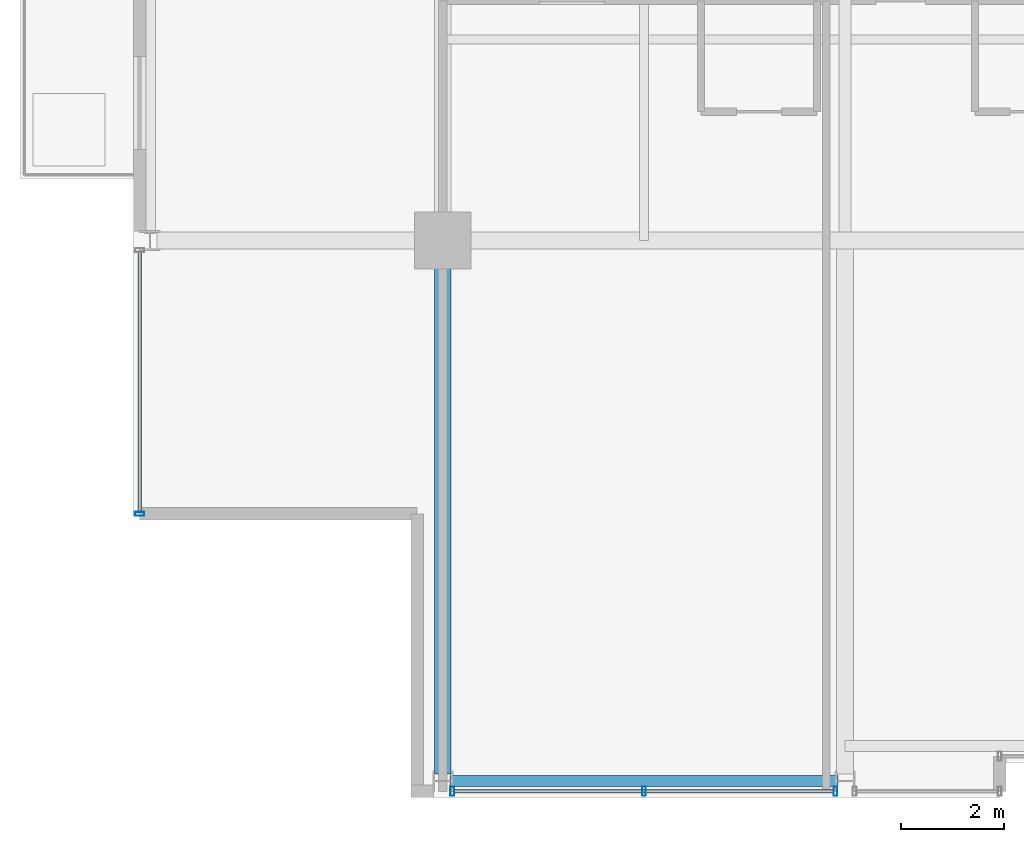
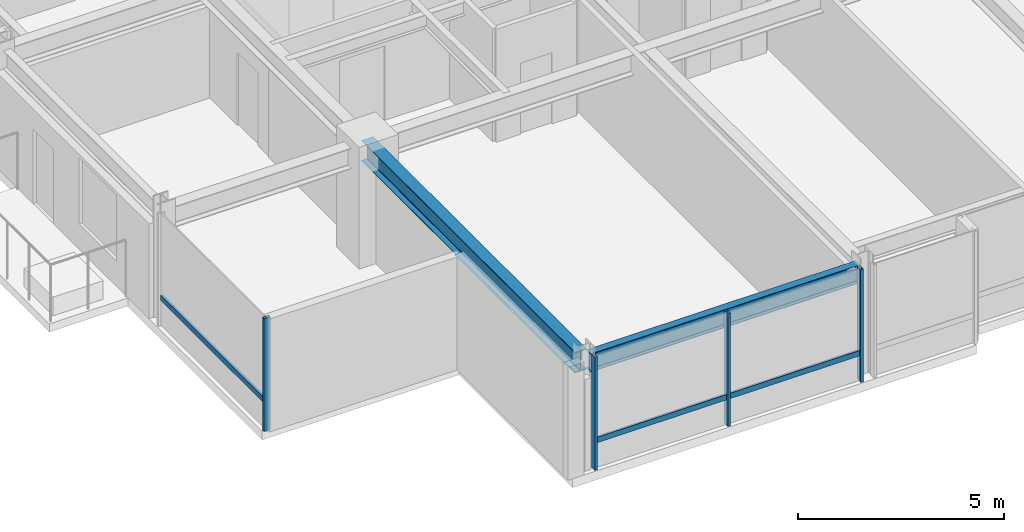
# One storey, part 2 of 32: 6 members, 2 beams, 2 elements without a shape of their own.
"""IFC4 building model written with IfcOpenShell, lengths in metres."""

from ifc_helpers import new_model, si_unit, direction, frame, origin, origin_2d, place, context, subcontext, project, spatial, hollow_rectangle, i_section, extrude, material, layer, layer_set, material_profile, profile_set, type_object, element, aggregate, save


model = new_model("IFC4")

# Units and contexts
model_context = context("Model", 3, precision=1e-05, world=origin(), true_north=direction((0.0, 1.0)))
body_context = subcontext(model_context, "Body", "Model", "MODEL_VIEW")
ifc_project = project(units=[si_unit("LENGTHUNIT", "METRE"), si_unit("AREAUNIT", "SQUARE_METRE"), si_unit("VOLUMEUNIT", "CUBIC_METRE"), si_unit("PLANEANGLEUNIT", "RADIAN"), si_unit("MASSUNIT", "GRAM", prefix="KILO")], contexts=[model_context])

# Site, building, storey
site_placement = place(None, origin())
site = spatial("IfcSite", under=ifc_project, at=site_placement, CompositionType="ELEMENT")
building_placement = place(site_placement, origin())
building = spatial("IfcBuilding", under=site, at=building_placement, Name="Drelvath Grand Hotel", CompositionType="ELEMENT")
storey_placement = place(building_placement, frame((0.0, 0.0, 226.699951171875)))
storey = spatial("IfcBuildingStorey", under=building, at=storey_placement, Name="L59", CompositionType="ELEMENT", Elevation=226.699951171875)

# Curtain wall, member
ifc_material_1 = material(Name="Platinum-Mist Anodised Aluminium Frame", Category="aluminium")
ifc_layer = layer(ifc_material_1, 0.199951171875)
ifc_layer_set = layer_set([ifc_layer], Name="Platinum-Mist Anodised Aluminium Frame")
curtain_wall_type = type_object("IfcCurtainWallType", Name="Stick Curtain Wall CW-05 Platinum Mist High-Rise", PredefinedType="NOTDEFINED", material=ifc_layer_set)
curtain_wall_1_placement = place(storey_placement, origin())
curtain_wall_1 = element("IfcCurtainWall", 1, at=curtain_wall_1_placement, inside=storey, type_object=curtain_wall_type, Name="L59 CW-05 Curtain Wall CW05-L59-WS1", PredefinedType="NOTDEFINED")
ifc_material_profile_1 = material_profile(ifc_material_1, hollow_rectangle(XDim=0.06494140625, YDim=0.159912109375, WallThickness=0.00390625, at=origin_2d()), Name="HSS160X65X4")
ifc_profile_set_1 = profile_set([ifc_material_profile_1], Name="Platinum-Mist Anodised Aluminium Frame")
member_type_1 = type_object("IfcMemberType", Name="Curtain Wall Horizontal Transom CW-05 HSS160X65X4", PredefinedType="USERDEFINED", material=ifc_profile_set_1)
member_1_placement = place(storey_placement, frame((-22.080078125, 5.5400390625, 0.8349609375), z_axis=(0.0, 1.0, 0.0), x_axis=(-1.0, 0.0, 0.0)))
member_1 = element("IfcMember", 2, at=member_1_placement, type_object=member_type_1, Name="CW05-L59-WS1 Sill Transom", ObjectType="TRANSOM", PredefinedType="USERDEFINED", context=body_context, shape_type="SweptSolid", body=[
    extrude(hollow_rectangle(XDim=0.06494140625, YDim=0.159912109375, WallThickness=0.00390625, at=origin_2d()), origin(), (0.0, 0.0, 1.0), 5.03466796875),
])

curtain_wall_2_placement = place(storey_placement, origin())
curtain_wall_2 = element("IfcCurtainWall", 3, at=curtain_wall_2_placement, inside=storey, type_object=curtain_wall_type, Name="L59 CW-05 Curtain Wall CW05-L59-SW2", PredefinedType="NOTDEFINED")
member_2_placement = place(storey_placement, frame((-8.625244140625, 0.1201171875, 0.8349609375), z_axis=(-1.0, 0.0, 0.0), x_axis=(0.0, -1.0, 0.0)))
member_2 = element("IfcMember", 4, at=member_2_placement, type_object=member_type_1, Name="CW05-L59-SW2 Sill Transom", ObjectType="TRANSOM", PredefinedType="USERDEFINED", context=body_context, shape_type="SweptSolid", body=[
    extrude(hollow_rectangle(XDim=0.06494140625, YDim=0.159912109375, WallThickness=0.00390625, at=origin_2d()), origin(), (0.0, 0.0, 1.0), 7.349365234375),
])

# Member
ifc_material_profile_2 = material_profile(ifc_material_1, hollow_rectangle(XDim=0.074951171875, YDim=0.179931640625, WallThickness=0.0048828125, at=origin_2d()), Name="HSS180X75X5")
ifc_profile_set_2 = profile_set([ifc_material_profile_2], Name="Platinum-Mist Anodised Aluminium Frame")
member_type_2 = type_object("IfcMemberType", Name="Curtain Wall Vertical Mullion CW-05 HSS180X75X5", PredefinedType="MULLION", material=ifc_profile_set_2)
member_3_placement = place(storey_placement, frame((-22.080078125, 5.5, 0.0), z_axis=(0.0, 0.0, 1.0), x_axis=(0.0, 1.0, 0.0)))
member_3 = element("IfcMember", 5, at=member_3_placement, type_object=member_type_2, Name="CW05-L59-WS1 Mullion 1", PredefinedType="MULLION", context=body_context, shape_type="SweptSolid", body=[
    extrude(hollow_rectangle(XDim=0.074951171875, YDim=0.179931640625, WallThickness=0.0048828125, at=origin_2d()), origin(), (0.0, 0.0, 1.0), 3.340087890625),
])

aggregate(curtain_wall_1, [member_3, member_1])

member_4_placement = place(storey_placement, frame((-8.585205078125, 0.1201171875, 0.0), z_axis=(0.0, 0.0, 1.0), x_axis=(1.0, 0.0, 0.0)))
member_4 = element("IfcMember", 6, at=member_4_placement, type_object=member_type_2, Name="CW05-L59-SW2 Mullion 1", PredefinedType="MULLION", context=body_context, shape_type="SweptSolid", body=[
    extrude(hollow_rectangle(XDim=0.074951171875, YDim=0.179931640625, WallThickness=0.0048828125, at=origin_2d()), origin(), (0.0, 0.0, 1.0), 3.340087890625),
])

member_5_placement = place(storey_placement, frame((-12.300048828125, 0.1201171875, 0.0), z_axis=(0.0, 0.0, 1.0), x_axis=(1.0, 0.0, 0.0)))
member_5 = element("IfcMember", 7, at=member_5_placement, type_object=member_type_2, Name="CW05-L59-SW2 Mullion 2", PredefinedType="MULLION", context=body_context, shape_type="SweptSolid", body=[
    extrude(hollow_rectangle(XDim=0.074951171875, YDim=0.179931640625, WallThickness=0.0048828125, at=origin_2d()), origin(), (0.0, 0.0, 1.0), 3.340087890625),
])

member_6_placement = place(storey_placement, frame((-16.0146484375, 0.1201171875, 0.0), z_axis=(0.0, 0.0, 1.0), x_axis=(1.0, 0.0, 0.0)))
member_6 = element("IfcMember", 8, at=member_6_placement, type_object=member_type_2, Name="CW05-L59-SW2 Mullion 3", PredefinedType="MULLION", context=body_context, shape_type="SweptSolid", body=[
    extrude(hollow_rectangle(XDim=0.074951171875, YDim=0.179931640625, WallThickness=0.0048828125, at=origin_2d()), origin(), (0.0, 0.0, 1.0), 3.340087890625),
])

aggregate(curtain_wall_2, [member_4, member_5, member_6, member_2])

# Beams
ifc_material_2 = material(Name="Steel ASTM A992 Gr 50", Category="steel")
ifc_material_profile_3 = material_profile(ifc_material_2, i_section(OverallWidth=0.210205078125, OverallDepth=0.53662109375, WebThickness=0.010986328125, FlangeThickness=0.017333984375, FilletRadius=0.01806640625, at=origin_2d()), Name="W21X68")
ifc_profile_set_3 = profile_set([ifc_material_profile_3], Name="Steel ASTM A992 Gr 50")
beam_type_1 = type_object("IfcBeamType", Name="Perimeter Spandrel Beam W21X68", PredefinedType="SPANDREL", material=ifc_profile_set_3)
beam_1_placement = place(storey_placement, frame((-16.06005859375, 0.320068359375, 3.071533203125), z_axis=(1.0, 0.0, 0.0), x_axis=(0.0, 1.0, 0.0)))
element("IfcBeam", 9, at=beam_1_placement, inside=storey, type_object=beam_type_1, Name="L59 Spandrel South W", PredefinedType="SPANDREL", context=body_context, shape_type="SweptSolid", body=[
    extrude(i_section(OverallWidth=0.210205078125, OverallDepth=0.53662109375, WebThickness=0.010986328125, FlangeThickness=0.017333984375, FilletRadius=0.01806640625, at=origin_2d()), origin(), (0.0, 0.0, 1.0), 7.52001953125),
])
ifc_material_profile_4 = material_profile(ifc_material_2, i_section(OverallWidth=0.323974609375, OverallDepth=0.611083984375, WebThickness=0.0126953125, FlangeThickness=0.01904296875, FilletRadius=0.02197265625, at=origin_2d()), Name="W24X104")
ifc_profile_set_4 = profile_set([ifc_material_profile_4], Name="Steel ASTM A992 Gr 50")
beam_type_2 = type_object("IfcBeamType", Name="Primary Floor Girder W24X104", PredefinedType="BEAM", material=ifc_profile_set_4)
beam_2_placement = place(storey_placement, frame((-16.199951171875, 0.4599609375, 3.034423828125), z_axis=(0.0, 1.0, 0.0), x_axis=(-1.0, 0.0, 0.0)))
element("IfcBeam", 10, at=beam_2_placement, inside=storey, type_object=beam_type_2, Name="L59 South Grid Girder 3", PredefinedType="BEAM", context=body_context, shape_type="SweptSolid", body=[
    extrude(i_section(OverallWidth=0.323974609375, OverallDepth=0.611083984375, WebThickness=0.0126953125, FlangeThickness=0.01904296875, FilletRadius=0.02197265625, at=origin_2d()), origin(), (0.0, 0.0, 1.0), 10.340087890625),
])

save(model, "model.ifc")
